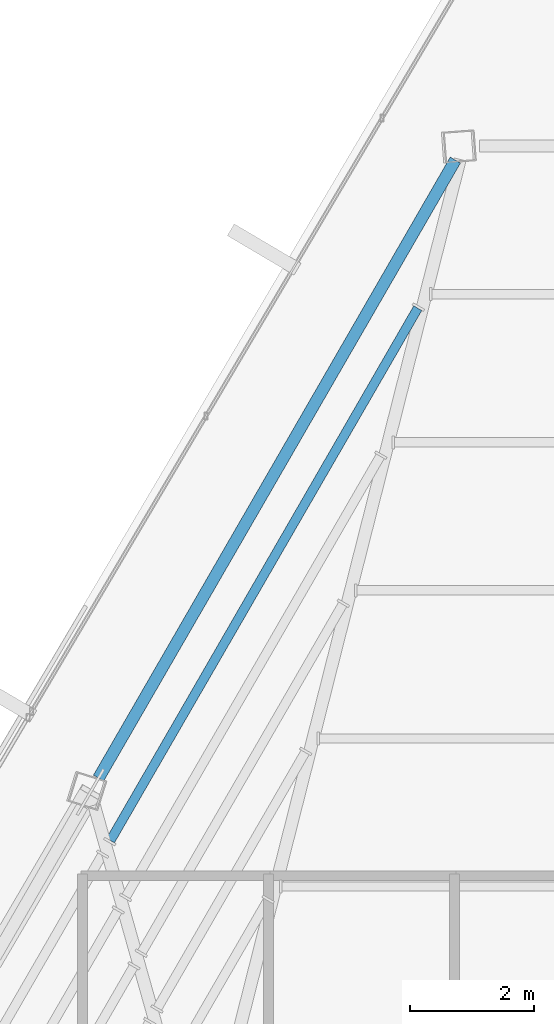
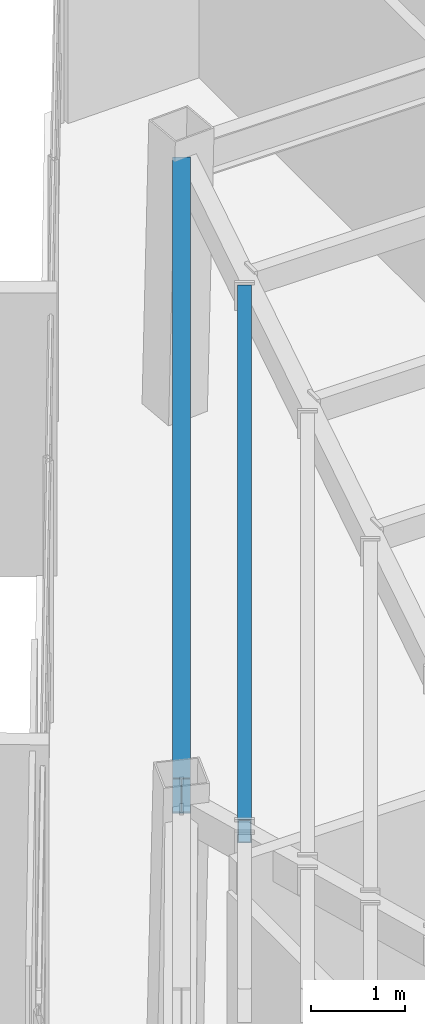
# One storey, part 32 of 48: 2 beams.
"""IFC4 building model written with IfcOpenShell, lengths in metres."""

import ifcopenshell
import ifcopenshell.guid

model = None  # the IFC model being written
_history = None  # IfcOwnerHistory: only IFC2X3 demands one
_inside = {}  # id of a spatial element -> (the spatial element, [elements in it])
_under = {}  # id of a project, library or spatial element -> (it, [spatial elements below it])
_declared = {}  # id of a project -> (the project, [libraries it declares])
_typed = {}  # id of a type object -> (the type object, [elements of that type])
_made_of = {}  # id of a material, layer set ... -> (it, [elements and type objects made of it])


def new_model(schema):
    """Start an empty IFC model of exactly this schema.

    Asked for "IFC4X3", IfcOpenShell would pick the latest addendum, in which some entities
    have other attributes; the version numbers below select the first issue.
    IFC2X3 requires an IfcOwnerHistory on every rooted entity: one is made here for all.
    """
    global model, _history
    if schema == "IFC4X3":
        model = ifcopenshell.file(schema_version=(4, 3, 0, 0))
    else:
        model = ifcopenshell.file(schema=schema)
    _inside.clear()
    _under.clear()
    _declared.clear()
    _typed.clear()
    _made_of.clear()
    _history = None
    if model.schema == "IFC2X3":
        org = make("IfcOrganization", Name="unknown")
        user = make(
            "IfcPersonAndOrganization",
            ThePerson=make("IfcPerson", FamilyName="unknown"),
            TheOrganization=org,
        )
        app = make(
            "IfcApplication",
            ApplicationDeveloper=org,
            Version="unknown",
            ApplicationFullName="unknown",
            ApplicationIdentifier="unknown",
        )
        _history = make(
            "IfcOwnerHistory",
            OwningUser=user,
            OwningApplication=app,
            ChangeAction="ADDED",
            CreationDate=0,
        )
    return model


def make(cls, **values):
    """One entity of the class cls with the attributes given. An attribute that is None is left unset."""
    return model.create_entity(
        cls, **{name: value for name, value in values.items() if value is not None}
    )


def rooted(cls, **values):
    """An entity with a GlobalId (a new one), such as an element, a storey or a relation."""
    return make(cls, GlobalId=ifcopenshell.guid.new(), OwnerHistory=_history, **values)


def si_unit(unit_type, name, prefix=None):
    """IfcSIUnit, for example si_unit("LENGTHUNIT", "METRE", prefix="MILLI")."""
    return make("IfcSIUnit", UnitType=unit_type, Prefix=prefix, Name=name)


def assignment(units):
    """IfcUnitAssignment: the units of a project."""
    return None if units is None else make("IfcUnitAssignment", Units=units)


def point(xyz):
    """IfcCartesianPoint."""
    return None if xyz is None else make("IfcCartesianPoint", Coordinates=xyz)


def direction(xyz):
    """IfcDirection."""
    return None if xyz is None else make("IfcDirection", DirectionRatios=xyz)


def frame(location, z_axis=None, x_axis=None):
    """IfcAxis2Placement3D, a coordinate frame: its origin and axes. An axis left out is left unset."""
    return make(
        "IfcAxis2Placement3D",
        Location=point(location),
        Axis=direction(z_axis),
        RefDirection=direction(x_axis),
    )


def frame_2d(location, x_axis=None):
    """IfcAxis2Placement2D, a coordinate frame in the plane: its origin and x axis."""
    return make(
        "IfcAxis2Placement2D", Location=point(location), RefDirection=direction(x_axis)
    )


def origin():
    """The frame at (0, 0, 0) with its axes left unset."""
    return frame((0.0, 0.0, 0.0))


def origin_2d():
    """The frame at (0, 0) in the plane with its x axis left unset."""
    return frame_2d((0.0, 0.0))


def place(relative_to, where):
    """IfcLocalPlacement: puts the frame where relative to a parent placement (None: the world)."""
    return make(
        "IfcLocalPlacement", PlacementRelTo=relative_to, RelativePlacement=where
    )


def context(
    kind, dimensions, precision=None, world=None, true_north=None, identifier=None
):
    """IfcGeometricRepresentationContext, for example the 3D "Model" context."""
    return make(
        "IfcGeometricRepresentationContext",
        ContextIdentifier=identifier,
        ContextType=kind,
        CoordinateSpaceDimension=dimensions,
        Precision=precision,
        WorldCoordinateSystem=world,
        TrueNorth=true_north,
    )


def subcontext(parent, identifier, kind, view, scale=None):
    """IfcGeometricRepresentationSubContext, for example "Body" below "Model"."""
    return make(
        "IfcGeometricRepresentationSubContext",
        ContextIdentifier=identifier,
        ContextType=kind,
        ParentContext=parent,
        TargetScale=scale,
        TargetView=view,
    )


def project(units=None, contexts=None):
    """IfcProject with its units and contexts."""
    return rooted(
        "IfcProject",
        Name="project",
        RepresentationContexts=contexts,
        UnitsInContext=assignment(units),
    )


def spatial(cls, under=None, at=None, **own):
    """A site, building, storey or space (cls), placed at a placement, below another one or the project."""
    s = rooted(cls, ObjectPlacement=at, **own)
    if under is not None:
        _under.setdefault(under.id(), (under, []))[1].append(s)
    return s


def profile(cls, at=None, kind="AREA", **sizes):
    """A parametric profile (cls). Its sizes go by their IFC names, for example OverallWidth=200.0."""
    return make(cls, ProfileType=kind, Position=at, **sizes)


def hollow_rectangle(**sizes):
    """IfcRectangleHollowProfileDef."""
    return profile("IfcRectangleHollowProfileDef", **sizes)


def i_section(**sizes):
    """IfcIShapeProfileDef."""
    return profile("IfcIShapeProfileDef", **sizes)


def extrude(swept, where, along, depth):
    """IfcExtrudedAreaSolid: the profile swept, set in the frame where, extruded along a direction by depth."""
    return make(
        "IfcExtrudedAreaSolid",
        SweptArea=swept,
        Position=where,
        ExtrudedDirection=direction(along),
        Depth=depth,
    )


def shape(context_of_items, identifier, shape_type, items):
    """IfcShapeRepresentation: the items that make up one representation, for example the "Body"."""
    return make(
        "IfcShapeRepresentation",
        ContextOfItems=context_of_items,
        RepresentationIdentifier=identifier,
        RepresentationType=shape_type,
        Items=items,
    )


def source(mapping_origin, context_of_items, identifier, shape_type, items):
    """IfcRepresentationMap: a shape defined once, which mapped items show again and again."""
    return make(
        "IfcRepresentationMap",
        MappingOrigin=mapping_origin,
        MappedRepresentation=shape(context_of_items, identifier, shape_type, items),
    )


def transform(
    local_origin,
    x_axis=None,
    y_axis=None,
    z_axis=None,
    scale=None,
    scale2=None,
    scale3=None,
    uniform=True,
):
    """IfcCartesianTransformationOperator3D, or its non-uniform kind. x_axis, y_axis, z_axis: its Axis1, 2, 3."""
    if uniform:
        return make(
            "IfcCartesianTransformationOperator3D",
            Axis1=direction(x_axis),
            Axis2=direction(y_axis),
            LocalOrigin=point(local_origin),
            Scale=scale,
            Axis3=direction(z_axis),
        )
    return make(
        "IfcCartesianTransformationOperator3DnonUniform",
        Axis1=direction(x_axis),
        Axis2=direction(y_axis),
        LocalOrigin=point(local_origin),
        Scale=scale,
        Axis3=direction(z_axis),
        Scale2=scale2,
        Scale3=scale3,
    )


def mapped(mapping_source, mapping_target):
    """IfcMappedItem: shows the shape of a source again, moved by a transform."""
    return make(
        "IfcMappedItem", MappingSource=mapping_source, MappingTarget=mapping_target
    )


def material(Name=None, Category=None):
    """IfcMaterial."""
    return make("IfcMaterial", Name=Name, Category=Category)


def material_profile(
    of_material, cross_section, Name=None, Category=None, Priority=None
):
    """IfcMaterialProfile: a cross section and its material."""
    return make(
        "IfcMaterialProfile",
        Name=Name,
        Material=of_material,
        Profile=cross_section,
        Priority=Priority,
        Category=Category,
    )


def profile_set(profiles, Name=None, composite=None):
    """IfcMaterialProfileSet."""
    return make(
        "IfcMaterialProfileSet",
        Name=Name,
        MaterialProfiles=profiles,
        CompositeProfile=composite,
    )


def made_of(thing, what):
    """Note that an element or type object is made of a material, layer set ...; save() writes the relation."""
    if what is not None:
        _made_of.setdefault(what.id(), (what, []))[1].append(thing)
    return thing


def type_object(cls, material=None, **own):
    """A type object (cls), such as IfcWallType, which elements share."""
    return made_of(rooted(cls, **own), material)


def type_shapes(of_type, sources):
    """Give a type object the sources (RepresentationMaps) that its elements show as mapped items."""
    of_type.RepresentationMaps = sources


def element(
    cls,
    number,
    at=None,
    inside=None,
    cuts=None,
    type_object=None,
    material=None,
    context=None,
    identifier="Body",
    shape_type=None,
    held_by="IfcProductDefinitionShape",
    body=None,
    shapes=None,
    **own,
):
    """One element of the class cls, such as IfcWall. Its Tag is "e" and its number.

    at: its placement. inside: the storey or other place that contains it. cuts: it is an
    opening in that element (IfcRelVoidsElement). A single representation is given by context,
    identifier, shape_type and body (its items); several are given by shapes. held_by: the class
    of the entity that holds the representations. save() writes the other relations.
    """
    e = rooted(cls, Tag="e%d" % number, ObjectPlacement=at, **own)
    if body is not None:
        shapes = [shape(context, identifier, shape_type, body)]
    if shapes is not None:
        e.Representation = make(held_by, Representations=shapes)
    if inside is not None:
        _inside.setdefault(inside.id(), (inside, []))[1].append(e)
    if cuts is not None:
        rooted(
            "IfcRelVoidsElement", RelatingBuildingElement=cuts, RelatedOpeningElement=e
        )
    if type_object is not None:
        _typed.setdefault(type_object.id(), (type_object, []))[1].append(e)
    return made_of(e, material)


def aggregate(whole, parts):
    """IfcRelAggregates: a whole, such as a stair, and the parts it consists of."""
    return rooted("IfcRelAggregates", RelatingObject=whole, RelatedObjects=parts)


def save(model, path):
    """Write the relations noted so far, then the file.

    IfcRelAggregates (storeys below a building ...), IfcRelContainedInSpatialStructure (elements
    in a storey), IfcRelDefinesByType, IfcRelAssociatesMaterial and IfcRelDeclares: one each for
    every whole, place, type object, material and project.
    """
    for whole, parts in _under.values():
        aggregate(whole, parts)
    for where, things in _inside.values():
        rooted(
            "IfcRelContainedInSpatialStructure",
            RelatedElements=things,
            RelatingStructure=where,
        )
    for kind, things in _typed.values():
        rooted("IfcRelDefinesByType", RelatedObjects=things, RelatingType=kind)
    for what, things in _made_of.values():
        rooted("IfcRelAssociatesMaterial", RelatedObjects=things, RelatingMaterial=what)
    for by, libraries in _declared.values():
        rooted("IfcRelDeclares", RelatingContext=by, RelatedDefinitions=libraries)
    model.write(path)


model = new_model("IFC4")

# Units and contexts
model_context = context("Model", 3, precision=1e-05, world=origin(), true_north=direction((0.0, 1.0)))
body_context = subcontext(model_context, "Body", "Model", "MODEL_VIEW")
ifc_project = project(units=[si_unit("LENGTHUNIT", "METRE"), si_unit("AREAUNIT", "SQUARE_METRE"), si_unit("VOLUMEUNIT", "CUBIC_METRE"), si_unit("PLANEANGLEUNIT", "RADIAN"), si_unit("MASSUNIT", "GRAM", prefix="KILO")], contexts=[model_context])

# Site, building, storey
site_placement = place(None, origin())
site = spatial("IfcSite", under=ifc_project, at=site_placement, CompositionType="ELEMENT")
building_placement = place(site_placement, origin())
building = spatial("IfcBuilding", under=site, at=building_placement, Name="Caelisora Broadcast Tower", CompositionType="ELEMENT")
storey_placement = place(building_placement, frame((0.0, 0.0, 277.300048828125)))
storey = spatial("IfcBuildingStorey", under=building, at=storey_placement, Name="L73", CompositionType="ELEMENT", Elevation=277.300048828125)

# Beams
ifc_material_1 = material(Name="Steel Grade 350 (AS/NZS 3679.1)", Category="steel")
ifc_material_profile_1 = material_profile(ifc_material_1, i_section(OverallWidth=0.19091796875, OverallDepth=0.46044921875, WebThickness=0.010009765625, FlangeThickness=0.01611328125, at=origin_2d()), Name="Steel Grade 350 (AS/NZS 3679.1)")
ifc_profile_set_1 = profile_set([ifc_material_profile_1], Name="Steel Grade 350 (AS/NZS 3679.1)")
beam_type_1 = type_object("IfcBeamType", Name="PG06", PredefinedType="BEAM", material=ifc_profile_set_1)
shared_shape_1 = source(origin(), body_context, "Body", "SweptSolid", [
    extrude(i_section(OverallWidth=0.19091796875, OverallDepth=0.46044921875, WebThickness=0.010009765625, FlangeThickness=0.01611328125, at=origin_2d()), origin(), (0.0, 0.0, 1.0), 11.509521484375),
])
type_shapes(beam_type_1, [shared_shape_1])
beam_1_placement = place(storey_placement, frame((34.6103515625, 46.49267578125, 3.169677734375), z_axis=(-0.4999923725, -0.866029807479, 0.0), x_axis=(0.866029807479, -0.4999923725, 0.0)))
element("IfcBeam", 1, at=beam_1_placement, inside=storey, type_object=beam_type_1, Name="L73 beam PG06", PredefinedType="BEAM", context=body_context, shape_type="MappedRepresentation", body=[
    mapped(shared_shape_1, transform((0.0, 0.0, 0.0), scale=1.0)),
])
ifc_material_2 = material(Name="Steel Grade 350 (AS/NZS 1163 C350L0)", Category="steel")
ifc_material_profile_2 = material_profile(ifc_material_2, hollow_rectangle(XDim=0.14990234375, YDim=0.300048828125, WallThickness=0.010009765625, at=origin_2d()), Name="Steel Grade 350 (AS/NZS 1163 C350L0)")
ifc_profile_set_2 = profile_set([ifc_material_profile_2], Name="Steel Grade 350 (AS/NZS 1163 C350L0)")
beam_type_2 = type_object("IfcBeamType", Name="SB05", PredefinedType="JOIST", material=ifc_profile_set_2)
shared_shape_2 = source(origin(), body_context, "Body", "SweptSolid", [
    extrude(hollow_rectangle(XDim=0.14990234375, YDim=0.300048828125, WallThickness=0.010009765625, at=origin_2d()), origin(), (0.0, 0.0, 1.0), 9.9140625),
])
type_shapes(beam_type_2, [shared_shape_2])
beam_2_placement = place(storey_placement, frame((34.00439453125, 44.104248046875, 3.25), z_axis=(-0.499995303914, -0.866028115054, 0.0), x_axis=(0.866028115054, -0.499995303914, 0.0)))
element("IfcBeam", 2, at=beam_2_placement, inside=storey, type_object=beam_type_2, Name="L73 beam SB05", PredefinedType="JOIST", context=body_context, shape_type="MappedRepresentation", body=[
    mapped(shared_shape_2, transform((0.0, 0.0, 0.0), scale=1.0)),
])

save(model, "model.ifc")
